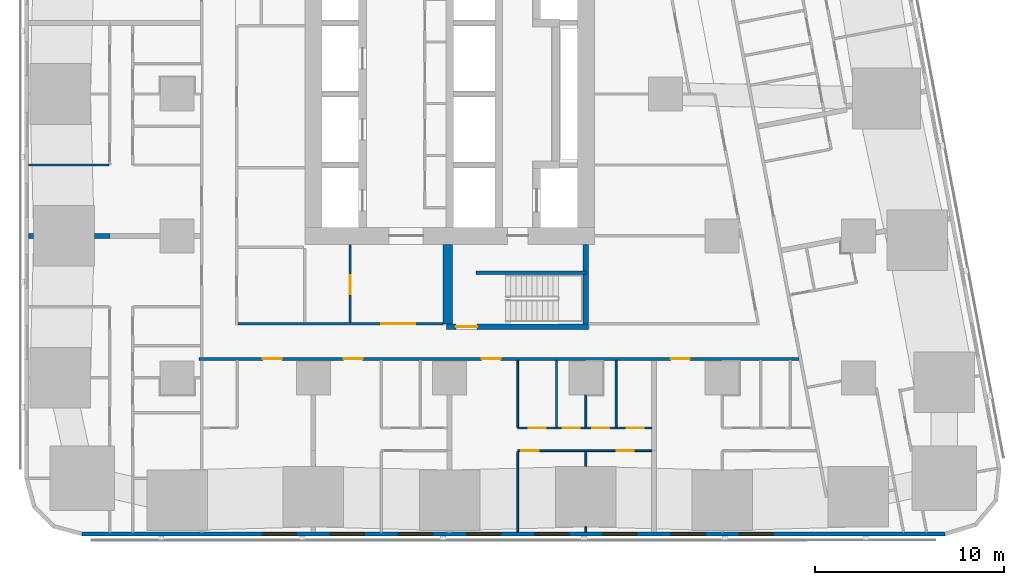
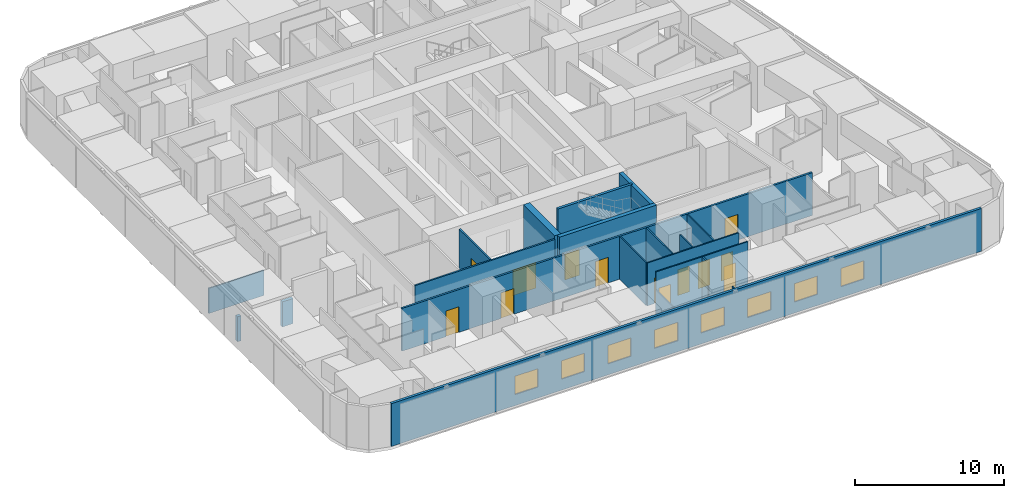
# One storey, part 3 of 17: 20 walls, 13 doors, 8 windows, 21 openings.
"""IFC4 building model written with IfcOpenShell, lengths in metres."""

from ifc_helpers import new_model, si_unit, direction, frame, frame_2d, origin, place, context, subcontext, project, spatial, rectangle, extrude, material, layer, layer_set, type_object, element, fill, save


model = new_model("IFC4")

# Units and contexts
model_context = context("Model", 3, precision=1e-05, world=origin(), true_north=direction((0.0, 1.0)))
body_context = subcontext(model_context, "Body", "Model", "MODEL_VIEW")
ifc_project = project(units=[si_unit("LENGTHUNIT", "METRE"), si_unit("AREAUNIT", "SQUARE_METRE"), si_unit("VOLUMEUNIT", "CUBIC_METRE"), si_unit("PLANEANGLEUNIT", "RADIAN"), si_unit("MASSUNIT", "GRAM", prefix="KILO")], contexts=[model_context])

# Site, building, storey
site_placement = place(None, origin())
site = spatial("IfcSite", under=ifc_project, at=site_placement, CompositionType="ELEMENT")
building_placement = place(site_placement, origin())
building = spatial("IfcBuilding", under=site, at=building_placement, Name="Sheger Commons Tower", CompositionType="ELEMENT")
storey_placement = place(building_placement, frame((0.0, 0.0, 27.5)))
storey = spatial("IfcBuildingStorey", under=building, at=storey_placement, Name="L06", CompositionType="ELEMENT", Elevation=27.5)

# Wall, openings, doors
ifc_material_1 = material(Name="Hollow concrete block masonry, skimmed both sides", Category="masonry")
ifc_layer_1 = layer(ifc_material_1, 0.14990234375)
ifc_layer_set_1 = layer_set([ifc_layer_1], Name="CORRIDOR WALL 150")
wall_type_1 = type_object("IfcWallType", Name="CORRIDOR WALL 150", PredefinedType="SOLIDWALL", material=ifc_layer_set_1)
wall_1_placement = place(storey_placement, frame((40.053955078125, 8.5, 0.0), z_axis=(0.0, 0.0, 1.0), x_axis=(-1.0, 0.0, 0.0)))
wall_1 = element("IfcWall", 1, at=wall_1_placement, inside=storey, type_object=wall_type_1, Name="Corridor wall L06", PredefinedType="SOLIDWALL", context=body_context, shape_type="SweptSolid", body=[
    extrude(rectangle(XDim=31.703857421875, YDim=0.14990234375, at=frame_2d((15.85205078125, 0.0))), origin(), (0.0, 0.0, 1.0), 3.5),
])
opening_1_placement = place(wall_1_placement, frame((27.321044921875, 0.0, 0.0)))
opening_1 = element("IfcOpeningElement", 2, at=opening_1_placement, cuts=wall_1, Name="Opening D1", PredefinedType="OPENING", context=body_context, shape_type="SweptSolid", body=[
    extrude(rectangle(XDim=1.0, YDim=2.10009765625, at=frame_2d((0.5, 1.050048828125))), frame((0.0, 0.0849609375, 0.0), z_axis=(0.0, -1.0, 0.0), x_axis=(1.0, 0.0, 0.0)), (0.0, 0.0, 1.0), 0.169921875),
])
opening_2_placement = place(wall_1_placement, frame((23.053955078125, 0.0, 0.0)))
opening_2 = element("IfcOpeningElement", 3, at=opening_2_placement, cuts=wall_1, Name="Opening D1", PredefinedType="OPENING", context=body_context, shape_type="SweptSolid", body=[
    extrude(rectangle(XDim=1.0, YDim=2.10009765625, at=frame_2d((0.5, 1.050048828125))), frame((0.0, 0.0849609375, 0.0), z_axis=(0.0, -1.0, 0.0), x_axis=(1.0, 0.0, 0.0)), (0.0, 0.0, 1.0), 0.169921875),
])
opening_3_placement = place(wall_1_placement, frame((15.75390625, 0.0, 0.0)))
opening_3 = element("IfcOpeningElement", 4, at=opening_3_placement, cuts=wall_1, Name="Opening D1", PredefinedType="OPENING", context=body_context, shape_type="SweptSolid", body=[
    extrude(rectangle(XDim=1.0, YDim=2.10009765625, at=frame_2d((0.5, 1.050048828125))), frame((0.0, 0.0849609375, 0.0), z_axis=(0.0, -1.0, 0.0), x_axis=(1.0, 0.0, 0.0)), (0.0, 0.0, 1.0), 0.169921875),
])
opening_4_placement = place(wall_1_placement, frame((5.75390625, 0.0, 0.0)))
opening_4 = element("IfcOpeningElement", 5, at=opening_4_placement, cuts=wall_1, Name="Opening D1", PredefinedType="OPENING", context=body_context, shape_type="SweptSolid", body=[
    extrude(rectangle(XDim=1.0, YDim=2.10009765625, at=frame_2d((0.5, 1.050048828125))), frame((0.0, 0.0849609375, 0.0), z_axis=(0.0, -1.0, 0.0), x_axis=(1.0, 0.0, 0.0)), (0.0, 0.0, 1.0), 0.169921875),
])
ifc_material_2 = material(Name="Steel door set, fire rated", Category="steel")
door_type_1 = type_object("IfcDoorType", Name="FLAT ENTRANCE DOOR 1000x2100", OperationType="NOTDEFINED", PredefinedType="DOOR", material=ifc_material_2)
door_1_placement = place(opening_1_placement, origin())
door_1 = element("IfcDoor", 6, at=door_1_placement, inside=storey, type_object=door_type_1, Name="Flat entrance door", OperationType="SINGLE_SWING_LEFT", OverallHeight=2.10009765625, OverallWidth=1.0, PredefinedType="DOOR", context=body_context, shape_type="SweptSolid", body=[
    extrude(rectangle(XDim=1.0, YDim=2.10009765625, at=frame_2d((0.5, 1.050048828125))), frame((0.0, 0.02490234375, 0.0), z_axis=(0.0, -1.0, 0.0), x_axis=(1.0, 0.0, 0.0)), (0.0, 0.0, 1.0), 0.050048828125),
])
fill(opening_1, door_1)
door_2_placement = place(opening_2_placement, origin())
door_2 = element("IfcDoor", 7, at=door_2_placement, inside=storey, type_object=door_type_1, Name="Flat entrance door", OperationType="SINGLE_SWING_LEFT", OverallHeight=2.10009765625, OverallWidth=1.0, PredefinedType="DOOR", context=body_context, shape_type="SweptSolid", body=[
    extrude(rectangle(XDim=1.0, YDim=2.10009765625, at=frame_2d((0.5, 1.050048828125))), frame((0.0, 0.02490234375, 0.0), z_axis=(0.0, -1.0, 0.0), x_axis=(1.0, 0.0, 0.0)), (0.0, 0.0, 1.0), 0.050048828125),
])
fill(opening_2, door_2)
door_3_placement = place(opening_3_placement, origin())
door_3 = element("IfcDoor", 8, at=door_3_placement, inside=storey, type_object=door_type_1, Name="Flat entrance door", OperationType="SINGLE_SWING_LEFT", OverallHeight=2.10009765625, OverallWidth=1.0, PredefinedType="DOOR", context=body_context, shape_type="SweptSolid", body=[
    extrude(rectangle(XDim=1.0, YDim=2.10009765625, at=frame_2d((0.5, 1.050048828125))), frame((0.0, 0.02490234375, 0.0), z_axis=(0.0, -1.0, 0.0), x_axis=(1.0, 0.0, 0.0)), (0.0, 0.0, 1.0), 0.050048828125),
])
fill(opening_3, door_3)
door_4_placement = place(opening_4_placement, origin())
door_4 = element("IfcDoor", 9, at=door_4_placement, inside=storey, type_object=door_type_1, Name="Flat entrance door", OperationType="SINGLE_SWING_RIGHT", OverallHeight=2.10009765625, OverallWidth=1.0, PredefinedType="DOOR", context=body_context, shape_type="SweptSolid", body=[
    extrude(rectangle(XDim=1.0, YDim=2.10009765625, at=frame_2d((0.5, 1.050048828125))), frame((0.0, 0.02490234375, 0.0), z_axis=(0.0, -1.0, 0.0), x_axis=(1.0, 0.0, 0.0)), (0.0, 0.0, 1.0), 0.050048828125),
])
fill(opening_4, door_4)

# Walls
ifc_material_3 = material(Name="Dense concrete block masonry, plastered both sides (separating wall between flats)", Category="masonry")
ifc_layer_2 = layer(ifc_material_3, 0.25)
ifc_layer_set_2 = layer_set([ifc_layer_2], Name="DEMISING WALL 250")
wall_type_2 = type_object("IfcWallType", Name="DEMISING WALL 250", PredefinedType="SOLIDWALL", material=ifc_layer_set_2)
wall_2_placement = place(storey_placement, frame((-0.64990234375, 15.0, 0.0), z_axis=(0.0, 0.0, 1.0), x_axis=(1.0, 0.0, 0.0)))
element("IfcWall", 10, at=wall_2_placement, inside=storey, type_object=wall_type_2, Name="Demising wall L06", PredefinedType="SOLIDWALL", context=body_context, shape_type="SweptSolid", body=[
    extrude(rectangle(XDim=0.27392578125, YDim=0.25, at=frame_2d((0.136962890625, 0.0))), origin(), (0.0, 0.0, 1.0), 2.050048828125),
])
wall_3_placement = place(storey_placement, frame((2.825927734375, 15.0, 0.0), z_axis=(0.0, 0.0, 1.0), x_axis=(1.0, 0.0, 0.0)))
element("IfcWall", 11, at=wall_3_placement, inside=storey, type_object=wall_type_2, Name="Demising wall L06", PredefinedType="SOLIDWALL", context=body_context, shape_type="SweptSolid", body=[
    extrude(rectangle(XDim=0.823974609375, YDim=0.25, at=frame_2d((0.412109375, 0.0))), origin(), (0.0, 0.0, 1.0), 2.050048828125),
])

# Wall, openings, windows
ifc_material_4 = material(Name="Rendered concrete block masonry, dark grey", Category="masonry")
ifc_layer_3 = layer(ifc_material_4, 0.199951171875)
ifc_layer_set_3 = layer_set([ifc_layer_3], Name="FACADE WALL 200")
wall_type_3 = type_object("IfcWallType", Name="FACADE WALL 200", PredefinedType="SOLIDWALL", material=ifc_layer_set_3)
wall_4_placement = place(storey_placement, frame((2.1630859375, -0.75, 0.0), z_axis=(0.0, 0.0, 1.0), x_axis=(1.0, 0.0, 0.0)))
wall_4 = element("IfcWall", 12, at=wall_4_placement, inside=storey, type_object=wall_type_3, Name="Facade wall L06", PredefinedType="SOLIDWALL", context=body_context, shape_type="SweptSolid", body=[
    extrude(rectangle(XDim=45.6279296875, YDim=0.199951171875, at=frame_2d((22.81396484375, 0.0))), origin(), (0.0, 0.0, 1.0), 3.5),
])
opening_5_placement = place(wall_4_placement, frame((9.537109375, 0.0, 0.89990234375)))
opening_5 = element("IfcOpeningElement", 13, at=opening_5_placement, cuts=wall_4, Name="Opening W2", PredefinedType="OPENING", context=body_context, shape_type="SweptSolid", body=[
    extrude(rectangle(XDim=1.800048828125, YDim=1.5, at=frame_2d((0.89990234375, 0.75))), frame((0.0, 0.10986328125, 0.0), z_axis=(0.0, -1.0, 0.0), x_axis=(1.0, 0.0, 0.0)), (0.0, 0.0, 1.0), 0.219970703125),
])
opening_6_placement = place(wall_4_placement, frame((13.136962890625, 0.0, 0.89990234375)))
opening_6 = element("IfcOpeningElement", 14, at=opening_6_placement, cuts=wall_4, Name="Opening W2", PredefinedType="OPENING", context=body_context, shape_type="SweptSolid", body=[
    extrude(rectangle(XDim=1.800048828125, YDim=1.5, at=frame_2d((0.89990234375, 0.75))), frame((0.0, 0.10986328125, 0.0), z_axis=(0.0, -1.0, 0.0), x_axis=(1.0, 0.0, 0.0)), (0.0, 0.0, 1.0), 0.219970703125),
])
opening_7_placement = place(wall_4_placement, frame((16.737060546875, 0.0, 0.89990234375)))
opening_7 = element("IfcOpeningElement", 15, at=opening_7_placement, cuts=wall_4, Name="Opening W2", PredefinedType="OPENING", context=body_context, shape_type="SweptSolid", body=[
    extrude(rectangle(XDim=1.800048828125, YDim=1.5, at=frame_2d((0.89990234375, 0.75))), frame((0.0, 0.10986328125, 0.0), z_axis=(0.0, -1.0, 0.0), x_axis=(1.0, 0.0, 0.0)), (0.0, 0.0, 1.0), 0.219970703125),
])
opening_8_placement = place(wall_4_placement, frame((20.3369140625, 0.0, 0.89990234375)))
opening_8 = element("IfcOpeningElement", 16, at=opening_8_placement, cuts=wall_4, Name="Opening W2", PredefinedType="OPENING", context=body_context, shape_type="SweptSolid", body=[
    extrude(rectangle(XDim=1.800048828125, YDim=1.5, at=frame_2d((0.89990234375, 0.75))), frame((0.0, 0.10986328125, 0.0), z_axis=(0.0, -1.0, 0.0), x_axis=(1.0, 0.0, 0.0)), (0.0, 0.0, 1.0), 0.219970703125),
])
opening_9_placement = place(wall_4_placement, frame((23.93701171875, 0.0, 0.89990234375)))
opening_9 = element("IfcOpeningElement", 17, at=opening_9_placement, cuts=wall_4, Name="Opening W2", PredefinedType="OPENING", context=body_context, shape_type="SweptSolid", body=[
    extrude(rectangle(XDim=1.800048828125, YDim=1.5, at=frame_2d((0.89990234375, 0.75))), frame((0.0, 0.10986328125, 0.0), z_axis=(0.0, -1.0, 0.0), x_axis=(1.0, 0.0, 0.0)), (0.0, 0.0, 1.0), 0.219970703125),
])
opening_10_placement = place(wall_4_placement, frame((27.537109375, 0.0, 0.89990234375)))
opening_10 = element("IfcOpeningElement", 18, at=opening_10_placement, cuts=wall_4, Name="Opening W2", PredefinedType="OPENING", context=body_context, shape_type="SweptSolid", body=[
    extrude(rectangle(XDim=1.800048828125, YDim=1.5, at=frame_2d((0.89990234375, 0.75))), frame((0.0, 0.10986328125, 0.0), z_axis=(0.0, -1.0, 0.0), x_axis=(1.0, 0.0, 0.0)), (0.0, 0.0, 1.0), 0.219970703125),
])
opening_11_placement = place(wall_4_placement, frame((31.136962890625, 0.0, 0.89990234375)))
opening_11 = element("IfcOpeningElement", 19, at=opening_11_placement, cuts=wall_4, Name="Opening W2", PredefinedType="OPENING", context=body_context, shape_type="SweptSolid", body=[
    extrude(rectangle(XDim=1.800048828125, YDim=1.5, at=frame_2d((0.89990234375, 0.75))), frame((0.0, 0.10986328125, 0.0), z_axis=(0.0, -1.0, 0.0), x_axis=(1.0, 0.0, 0.0)), (0.0, 0.0, 1.0), 0.219970703125),
])
opening_12_placement = place(wall_4_placement, frame((34.737060546875, 0.0, 0.89990234375)))
opening_12 = element("IfcOpeningElement", 20, at=opening_12_placement, cuts=wall_4, Name="Opening W2", PredefinedType="OPENING", context=body_context, shape_type="SweptSolid", body=[
    extrude(rectangle(XDim=1.800048828125, YDim=1.5, at=frame_2d((0.89990234375, 0.75))), frame((0.0, 0.10986328125, 0.0), z_axis=(0.0, -1.0, 0.0), x_axis=(1.0, 0.0, 0.0)), (0.0, 0.0, 1.0), 0.219970703125),
])
ifc_material_5 = material(Name="Black aluminium frame, dark tinted double glazing", Category="aluminium")
window_type = type_object("IfcWindowType", Name="WINDOW W2 1800x1500", PartitioningType="SINGLE_PANEL", PredefinedType="WINDOW", material=ifc_material_5)
window_1_placement = place(opening_5_placement, origin())
window_1 = element("IfcWindow", 21, at=window_1_placement, inside=storey, type_object=window_type, Name="Window W2 1800X1500", OverallHeight=1.5, OverallWidth=1.800048828125, PartitioningType="SINGLE_PANEL", PredefinedType="WINDOW", context=body_context, shape_type="SweptSolid", body=[
    extrude(rectangle(XDim=1.800048828125, YDim=1.5, at=frame_2d((0.89990234375, 0.75))), frame((0.0, 0.030029296875, 0.0), z_axis=(0.0, -1.0, 0.0), x_axis=(1.0, 0.0, 0.0)), (0.0, 0.0, 1.0), 0.06005859375),
])
fill(opening_5, window_1)
window_2_placement = place(opening_6_placement, origin())
window_2 = element("IfcWindow", 22, at=window_2_placement, inside=storey, type_object=window_type, Name="Window W2 1800X1500", OverallHeight=1.5, OverallWidth=1.800048828125, PartitioningType="SINGLE_PANEL", PredefinedType="WINDOW", context=body_context, shape_type="SweptSolid", body=[
    extrude(rectangle(XDim=1.800048828125, YDim=1.5, at=frame_2d((0.89990234375, 0.75))), frame((0.0, 0.030029296875, 0.0), z_axis=(0.0, -1.0, 0.0), x_axis=(1.0, 0.0, 0.0)), (0.0, 0.0, 1.0), 0.06005859375),
])
fill(opening_6, window_2)
window_3_placement = place(opening_7_placement, origin())
window_3 = element("IfcWindow", 23, at=window_3_placement, inside=storey, type_object=window_type, Name="Window W2 1800X1500", OverallHeight=1.5, OverallWidth=1.800048828125, PartitioningType="SINGLE_PANEL", PredefinedType="WINDOW", context=body_context, shape_type="SweptSolid", body=[
    extrude(rectangle(XDim=1.800048828125, YDim=1.5, at=frame_2d((0.89990234375, 0.75))), frame((0.0, 0.030029296875, 0.0), z_axis=(0.0, -1.0, 0.0), x_axis=(1.0, 0.0, 0.0)), (0.0, 0.0, 1.0), 0.06005859375),
])
fill(opening_7, window_3)
window_4_placement = place(opening_8_placement, origin())
window_4 = element("IfcWindow", 24, at=window_4_placement, inside=storey, type_object=window_type, Name="Window W2 1800X1500", OverallHeight=1.5, OverallWidth=1.800048828125, PartitioningType="SINGLE_PANEL", PredefinedType="WINDOW", context=body_context, shape_type="SweptSolid", body=[
    extrude(rectangle(XDim=1.800048828125, YDim=1.5, at=frame_2d((0.89990234375, 0.75))), frame((0.0, 0.030029296875, 0.0), z_axis=(0.0, -1.0, 0.0), x_axis=(1.0, 0.0, 0.0)), (0.0, 0.0, 1.0), 0.06005859375),
])
fill(opening_8, window_4)
window_5_placement = place(opening_9_placement, origin())
window_5 = element("IfcWindow", 25, at=window_5_placement, inside=storey, type_object=window_type, Name="Window W2 1800X1500", OverallHeight=1.5, OverallWidth=1.800048828125, PartitioningType="SINGLE_PANEL", PredefinedType="WINDOW", context=body_context, shape_type="SweptSolid", body=[
    extrude(rectangle(XDim=1.800048828125, YDim=1.5, at=frame_2d((0.89990234375, 0.75))), frame((0.0, 0.030029296875, 0.0), z_axis=(0.0, -1.0, 0.0), x_axis=(1.0, 0.0, 0.0)), (0.0, 0.0, 1.0), 0.06005859375),
])
fill(opening_9, window_5)
window_6_placement = place(opening_10_placement, origin())
window_6 = element("IfcWindow", 26, at=window_6_placement, inside=storey, type_object=window_type, Name="Window W2 1800X1500", OverallHeight=1.5, OverallWidth=1.800048828125, PartitioningType="SINGLE_PANEL", PredefinedType="WINDOW", context=body_context, shape_type="SweptSolid", body=[
    extrude(rectangle(XDim=1.800048828125, YDim=1.5, at=frame_2d((0.89990234375, 0.75))), frame((0.0, 0.030029296875, 0.0), z_axis=(0.0, -1.0, 0.0), x_axis=(1.0, 0.0, 0.0)), (0.0, 0.0, 1.0), 0.06005859375),
])
fill(opening_10, window_6)
window_7_placement = place(opening_11_placement, origin())
window_7 = element("IfcWindow", 27, at=window_7_placement, inside=storey, type_object=window_type, Name="Window W2 1800X1500", OverallHeight=1.5, OverallWidth=1.800048828125, PartitioningType="SINGLE_PANEL", PredefinedType="WINDOW", context=body_context, shape_type="SweptSolid", body=[
    extrude(rectangle(XDim=1.800048828125, YDim=1.5, at=frame_2d((0.89990234375, 0.75))), frame((0.0, 0.030029296875, 0.0), z_axis=(0.0, -1.0, 0.0), x_axis=(1.0, 0.0, 0.0)), (0.0, 0.0, 1.0), 0.06005859375),
])
fill(opening_11, window_7)
window_8_placement = place(opening_12_placement, origin())
window_8 = element("IfcWindow", 28, at=window_8_placement, inside=storey, type_object=window_type, Name="Window W2 1800X1500", OverallHeight=1.5, OverallWidth=1.800048828125, PartitioningType="SINGLE_PANEL", PredefinedType="WINDOW", context=body_context, shape_type="SweptSolid", body=[
    extrude(rectangle(XDim=1.800048828125, YDim=1.5, at=frame_2d((0.89990234375, 0.75))), frame((0.0, 0.030029296875, 0.0), z_axis=(0.0, -1.0, 0.0), x_axis=(1.0, 0.0, 0.0)), (0.0, 0.0, 1.0), 0.06005859375),
])
fill(opening_12, window_8)

# Wall
ifc_material_6 = material(Name="Gypsum board on steel studs", Category="steel")
ifc_layer_4 = layer(ifc_material_6, 0.10009765625)
ifc_layer_set_4 = layer_set([ifc_layer_4], Name="PARTITION 100")
wall_type_4 = type_object("IfcWallType", Name="PARTITION 100", PredefinedType="PARTITIONING", material=ifc_layer_set_4)
wall_5_placement = place(storey_placement, frame((-0.64990234375, 18.75, 0.0), z_axis=(0.0, 0.0, 1.0), x_axis=(1.0, 0.0, 0.0)))
element("IfcWall", 29, at=wall_5_placement, inside=storey, type_object=wall_type_4, Name="Partition L06", PredefinedType="PARTITIONING", context=body_context, shape_type="SweptSolid", body=[
    extrude(rectangle(XDim=4.25, YDim=0.10009765625, at=frame_2d((2.125, 0.0))), origin(), (0.0, 0.0, 1.0), 2.050048828125),
])

# Wall, openings, doors
wall_6_placement = place(storey_placement, frame((32.27490234375, 3.64990234375, 0.0), z_axis=(0.0, 0.0, 1.0), x_axis=(-1.0, 0.0, 0.0)))
wall_6 = element("IfcWall", 30, at=wall_6_placement, inside=storey, type_object=wall_type_4, Name="Partition L06", PredefinedType="PARTITIONING", context=body_context, shape_type="SweptSolid", body=[
    extrude(rectangle(XDim=7.074951171875, YDim=0.10009765625, at=frame_2d((3.53759765625, 0.0))), origin(), (0.0, 0.0, 1.0), 3.5),
])
opening_13_placement = place(wall_6_placement, frame((5.97509765625, 0.0, 0.0)))
opening_13 = element("IfcOpeningElement", 31, at=opening_13_placement, cuts=wall_6, Name="Opening D2", PredefinedType="OPENING", context=body_context, shape_type="SweptSolid", body=[
    extrude(rectangle(XDim=0.89990234375, YDim=2.10009765625, at=frame_2d((0.449951171875, 1.050048828125))), frame((0.0, 0.06005859375, 0.0), z_axis=(0.0, -1.0, 0.0), x_axis=(1.0, 0.0, 0.0)), (0.0, 0.0, 1.0), 0.1201171875),
])
opening_14_placement = place(wall_6_placement, frame((0.949951171875, 0.0, 0.0)))
opening_14 = element("IfcOpeningElement", 32, at=opening_14_placement, cuts=wall_6, Name="Opening D2", PredefinedType="OPENING", context=body_context, shape_type="SweptSolid", body=[
    extrude(rectangle(XDim=0.89990234375, YDim=2.10009765625, at=frame_2d((0.449951171875, 1.050048828125))), frame((0.0, 0.06005859375, 0.0), z_axis=(0.0, -1.0, 0.0), x_axis=(1.0, 0.0, 0.0)), (0.0, 0.0, 1.0), 0.1201171875),
])
ifc_material_7 = material(Name="Timber door set", Category="wood")
door_type_2 = type_object("IfcDoorType", Name="INTERNAL DOOR 900x2100", OperationType="NOTDEFINED", PredefinedType="DOOR", material=ifc_material_7)
door_5_placement = place(opening_13_placement, origin())
door_5 = element("IfcDoor", 33, at=door_5_placement, inside=storey, type_object=door_type_2, Name="Main bedroom door", OperationType="SINGLE_SWING_RIGHT", OverallHeight=2.10009765625, OverallWidth=0.89990234375, PredefinedType="DOOR", context=body_context, shape_type="SweptSolid", body=[
    extrude(rectangle(XDim=0.89990234375, YDim=2.10009765625, at=frame_2d((0.449951171875, 1.050048828125))), frame((0.0, 0.02490234375, 0.0), z_axis=(0.0, -1.0, 0.0), x_axis=(1.0, 0.0, 0.0)), (0.0, 0.0, 1.0), 0.050048828125),
])
fill(opening_13, door_5)
door_6_placement = place(opening_14_placement, origin())
door_6 = element("IfcDoor", 34, at=door_6_placement, inside=storey, type_object=door_type_2, Name="Bedroom 2 door", OperationType="SINGLE_SWING_LEFT", OverallHeight=2.10009765625, OverallWidth=0.89990234375, PredefinedType="DOOR", context=body_context, shape_type="SweptSolid", body=[
    extrude(rectangle(XDim=0.89990234375, YDim=2.10009765625, at=frame_2d((0.449951171875, 1.050048828125))), frame((0.0, 0.02490234375, 0.0), z_axis=(0.0, -1.0, 0.0), x_axis=(1.0, 0.0, 0.0)), (0.0, 0.0, 1.0), 0.050048828125),
])
fill(opening_14, door_6)

wall_7_placement = place(storey_placement, frame((32.27490234375, 4.85009765625, 0.0), z_axis=(0.0, 0.0, 1.0), x_axis=(-1.0, 0.0, 0.0)))
wall_7 = element("IfcWall", 35, at=wall_7_placement, inside=storey, type_object=wall_type_4, Name="Partition L06", PredefinedType="PARTITIONING", context=body_context, shape_type="SweptSolid", body=[
    extrude(rectangle(XDim=7.074951171875, YDim=0.10009765625, at=frame_2d((3.53759765625, 0.0))), origin(), (0.0, 0.0, 1.0), 3.5),
])
opening_15_placement = place(wall_7_placement, frame((5.60009765625, 0.0, 0.0)))
opening_15 = element("IfcOpeningElement", 36, at=opening_15_placement, cuts=wall_7, Name="Opening D2", PredefinedType="OPENING", context=body_context, shape_type="SweptSolid", body=[
    extrude(rectangle(XDim=0.89990234375, YDim=2.10009765625, at=frame_2d((0.449951171875, 1.050048828125))), frame((0.0, 0.06005859375, 0.0), z_axis=(0.0, -1.0, 0.0), x_axis=(1.0, 0.0, 0.0)), (0.0, 0.0, 1.0), 0.1201171875),
])
opening_16_placement = place(wall_7_placement, frame((2.22509765625, 0.0, 0.0)))
opening_16 = element("IfcOpeningElement", 37, at=opening_16_placement, cuts=wall_7, Name="Opening D2", PredefinedType="OPENING", context=body_context, shape_type="SweptSolid", body=[
    extrude(rectangle(XDim=0.89990234375, YDim=2.10009765625, at=frame_2d((0.449951171875, 1.050048828125))), frame((0.0, 0.06005859375, 0.0), z_axis=(0.0, -1.0, 0.0), x_axis=(1.0, 0.0, 0.0)), (0.0, 0.0, 1.0), 0.1201171875),
])
opening_17_placement = place(wall_7_placement, frame((3.800048828125, 0.0, 0.0)))
opening_17 = element("IfcOpeningElement", 38, at=opening_17_placement, cuts=wall_7, Name="Opening D2", PredefinedType="OPENING", context=body_context, shape_type="SweptSolid", body=[
    extrude(rectangle(XDim=0.89990234375, YDim=2.10009765625, at=frame_2d((0.449951171875, 1.050048828125))), frame((0.0, 0.06005859375, 0.0), z_axis=(0.0, -1.0, 0.0), x_axis=(1.0, 0.0, 0.0)), (0.0, 0.0, 1.0), 0.1201171875),
])
opening_18_placement = place(wall_7_placement, frame((0.425048828125, 0.0, 0.0)))
opening_18 = element("IfcOpeningElement", 39, at=opening_18_placement, cuts=wall_7, Name="Opening D2", PredefinedType="OPENING", context=body_context, shape_type="SweptSolid", body=[
    extrude(rectangle(XDim=0.89990234375, YDim=2.10009765625, at=frame_2d((0.449951171875, 1.050048828125))), frame((0.0, 0.06005859375, 0.0), z_axis=(0.0, -1.0, 0.0), x_axis=(1.0, 0.0, 0.0)), (0.0, 0.0, 1.0), 0.1201171875),
])
door_7_placement = place(opening_15_placement, origin())
door_7 = element("IfcDoor", 40, at=door_7_placement, inside=storey, type_object=door_type_2, Name="Bathroom door", OperationType="SINGLE_SWING_LEFT", OverallHeight=2.10009765625, OverallWidth=0.89990234375, PredefinedType="DOOR", context=body_context, shape_type="SweptSolid", body=[
    extrude(rectangle(XDim=0.89990234375, YDim=2.10009765625, at=frame_2d((0.449951171875, 1.050048828125))), frame((0.0, 0.02490234375, 0.0), z_axis=(0.0, -1.0, 0.0), x_axis=(1.0, 0.0, 0.0)), (0.0, 0.0, 1.0), 0.050048828125),
])
fill(opening_15, door_7)
door_8_placement = place(opening_16_placement, origin())
door_8 = element("IfcDoor", 41, at=door_8_placement, inside=storey, type_object=door_type_2, Name="Shower room door", OperationType="SINGLE_SWING_LEFT", OverallHeight=2.10009765625, OverallWidth=0.89990234375, PredefinedType="DOOR", context=body_context, shape_type="SweptSolid", body=[
    extrude(rectangle(XDim=0.89990234375, YDim=2.10009765625, at=frame_2d((0.449951171875, 1.050048828125))), frame((0.0, 0.02490234375, 0.0), z_axis=(0.0, -1.0, 0.0), x_axis=(1.0, 0.0, 0.0)), (0.0, 0.0, 1.0), 0.050048828125),
])
fill(opening_16, door_8)
door_9_placement = place(opening_17_placement, origin())
door_9 = element("IfcDoor", 42, at=door_9_placement, inside=storey, type_object=door_type_2, Name="Store door", OperationType="SINGLE_SWING_LEFT", OverallHeight=2.10009765625, OverallWidth=0.89990234375, PredefinedType="DOOR", context=body_context, shape_type="SweptSolid", body=[
    extrude(rectangle(XDim=0.89990234375, YDim=2.10009765625, at=frame_2d((0.449951171875, 1.050048828125))), frame((0.0, 0.02490234375, 0.0), z_axis=(0.0, -1.0, 0.0), x_axis=(1.0, 0.0, 0.0)), (0.0, 0.0, 1.0), 0.050048828125),
])
fill(opening_17, door_9)
door_10_placement = place(opening_18_placement, origin())
door_10 = element("IfcDoor", 43, at=door_10_placement, inside=storey, type_object=door_type_2, Name="Store door", OperationType="SINGLE_SWING_RIGHT", OverallHeight=2.10009765625, OverallWidth=0.89990234375, PredefinedType="DOOR", context=body_context, shape_type="SweptSolid", body=[
    extrude(rectangle(XDim=0.89990234375, YDim=2.10009765625, at=frame_2d((0.449951171875, 1.050048828125))), frame((0.0, 0.02490234375, 0.0), z_axis=(0.0, -1.0, 0.0), x_axis=(1.0, 0.0, 0.0)), (0.0, 0.0, 1.0), 0.050048828125),
])
fill(opening_18, door_10)

# Walls
wall_8_placement = place(storey_placement, frame((25.199951171875, -0.64990234375, 0.0), z_axis=(0.0, 0.0, 1.0), x_axis=(0.0, 1.0, 0.0)))
element("IfcWall", 44, at=wall_8_placement, inside=storey, type_object=wall_type_4, Name="Partition L06", PredefinedType="PARTITIONING", context=body_context, shape_type="SweptSolid", body=[
    extrude(rectangle(XDim=4.25, YDim=0.10009765625, at=frame_2d((2.125, 0.0))), origin(), (0.0, 0.0, 1.0), 2.050048828125),
])
wall_9_placement = place(storey_placement, frame((28.800048828125, -0.64990234375, 0.0), z_axis=(0.0, 0.0, 1.0), x_axis=(0.0, 1.0, 0.0)))
element("IfcWall", 45, at=wall_9_placement, inside=storey, type_object=wall_type_4, Name="Partition L06", PredefinedType="PARTITIONING", context=body_context, shape_type="SweptSolid", body=[
    extrude(rectangle(XDim=0.27392578125, YDim=0.10009765625, at=frame_2d((0.136962890625, 0.0))), origin(), (0.0, 0.0, 1.0), 3.5),
])
wall_10_placement = place(storey_placement, frame((28.800048828125, 2.825927734375, 0.0), z_axis=(0.0, 0.0, 1.0), x_axis=(0.0, 1.0, 0.0)))
element("IfcWall", 46, at=wall_10_placement, inside=storey, type_object=wall_type_4, Name="Partition L06", PredefinedType="PARTITIONING", context=body_context, shape_type="SweptSolid", body=[
    extrude(rectangle(XDim=0.774169921875, YDim=0.10009765625, at=frame_2d((0.38720703125, 0.0))), origin(), (0.0, 0.0, 1.0), 3.5),
])
wall_11_placement = place(storey_placement, frame((25.199951171875, 4.89990234375, 0.0), z_axis=(0.0, 0.0, 1.0), x_axis=(0.0, 1.0, 0.0)))
element("IfcWall", 47, at=wall_11_placement, inside=storey, type_object=wall_type_4, Name="Partition L06", PredefinedType="PARTITIONING", context=body_context, shape_type="SweptSolid", body=[
    extrude(rectangle(XDim=3.525146484375, YDim=0.10009765625, at=frame_2d((1.7626953125, 0.0))), origin(), (0.0, 0.0, 1.0), 3.5),
])
wall_12_placement = place(storey_placement, frame((28.800048828125, 4.89990234375, 0.0), z_axis=(0.0, 0.0, 1.0), x_axis=(0.0, 1.0, 0.0)))
element("IfcWall", 48, at=wall_12_placement, inside=storey, type_object=wall_type_4, Name="Partition L06", PredefinedType="PARTITIONING", context=body_context, shape_type="SweptSolid", body=[
    extrude(rectangle(XDim=1.69921875, YDim=0.10009765625, at=frame_2d((0.849609375, 0.0))), origin(), (0.0, 0.0, 1.0), 3.5),
])
for number, where, z_axis, x_axis, name in (
    (49, (27.25, 4.89990234375, 0.0), (0.0, 0.0, 1.0), (0.0, 1.0, 0.0), "Partition L06"),
    (50, (30.39990234375, 4.89990234375, 0.0), (0.0, 0.0, 1.0), (0.0, 1.0, 0.0), "Partition L06"),
):
    element("IfcWall", number, at=place(storey_placement, frame(where, z_axis=z_axis, x_axis=x_axis)), inside=storey, type_object=wall_type_4, Name=name, PredefinedType="PARTITIONING", context=body_context, shape_type="SweptSolid", body=[
        extrude(rectangle(XDim=3.525146484375, YDim=0.10009765625, at=frame_2d((1.7626953125, 0.0))), origin(), (0.0, 0.0, 1.0), 3.5),
    ])

# Wall, opening, door
ifc_material_8 = material(Name="Gypsum board on steel studs, two layers each side, fire rated", Category="steel")
ifc_layer_5 = layer(ifc_material_8, 0.125)
ifc_layer_set_5 = layer_set([ifc_layer_5], Name="SERVICE WALL 125")
wall_type_5 = type_object("IfcWallType", Name="SERVICE WALL 125", PredefinedType="PARTITIONING", material=ifc_layer_set_5)
wall_13_placement = place(storey_placement, frame((10.4130859375, 10.35009765625, 0.0), z_axis=(0.0, 0.0, 1.0), x_axis=(1.0, 0.0, 0.0)))
wall_13 = element("IfcWall", 51, at=wall_13_placement, inside=storey, type_object=wall_type_5, Name="Service room wall L06", PredefinedType="PARTITIONING", context=body_context, shape_type="SweptSolid", body=[
    extrude(rectangle(XDim=10.8369140625, YDim=0.125, at=frame_2d((5.41845703125, 0.0))), origin(), (0.0, 0.0, 1.0), 3.5),
])
opening_19_placement = place(wall_13_placement, frame((7.58203125, 0.0, 0.0)))
opening_19 = element("IfcOpeningElement", 52, at=opening_19_placement, cuts=wall_13, Name="Opening D6", PredefinedType="OPENING", context=body_context, shape_type="SweptSolid", body=[
    extrude(rectangle(XDim=1.800048828125, YDim=2.10009765625, at=frame_2d((0.89990234375, 1.050048828125))), frame((0.0, 0.072509765625, 0.0), z_axis=(0.0, -1.0, 0.0), x_axis=(1.0, 0.0, 0.0)), (0.0, 0.0, 1.0), 0.14501953125),
])
ifc_material_9 = material(Name="Steel door set, fire rated", Category="steel")
door_type_3 = type_object("IfcDoorType", Name="LOBBY DOUBLE DOOR 1800x2100", OperationType="DOUBLE_DOOR_SINGLE_SWING", PredefinedType="DOOR", material=ifc_material_9)
door_11_placement = place(opening_19_placement, origin())
door_11 = element("IfcDoor", 53, at=door_11_placement, inside=storey, type_object=door_type_3, Name="Lift lobby south door", OperationType="DOUBLE_DOOR_SINGLE_SWING", OverallHeight=2.10009765625, OverallWidth=1.800048828125, PredefinedType="DOOR", context=body_context, shape_type="SweptSolid", body=[
    extrude(rectangle(XDim=1.800048828125, YDim=2.10009765625, at=frame_2d((0.89990234375, 1.050048828125))), frame((0.0, 0.02490234375, 0.0), z_axis=(0.0, -1.0, 0.0), x_axis=(1.0, 0.0, 0.0)), (0.0, 0.0, 1.0), 0.050048828125),
])
fill(opening_19, door_11)

wall_14_placement = place(storey_placement, frame((16.340087890625, 10.4130859375, 0.0), z_axis=(0.0, 0.0, 1.0), x_axis=(0.0, 1.0, 0.0)))
wall_14 = element("IfcWall", 54, at=wall_14_placement, inside=storey, type_object=wall_type_5, Name="Service room wall L06", PredefinedType="PARTITIONING", context=body_context, shape_type="SweptSolid", body=[
    extrude(rectangle(XDim=4.136962890625, YDim=0.125, at=frame_2d((2.068359375, 0.0))), origin(), (0.0, 0.0, 1.0), 3.5),
])
opening_20_placement = place(wall_14_placement, frame((1.511962890625, 0.0, 0.0)))
opening_20 = element("IfcOpeningElement", 55, at=opening_20_placement, cuts=wall_14, Name="Opening D4", PredefinedType="OPENING", context=body_context, shape_type="SweptSolid", body=[
    extrude(rectangle(XDim=1.0, YDim=2.10009765625, at=frame_2d((0.5, 1.050048828125))), frame((0.0, 0.072509765625, 0.0), z_axis=(0.0, -1.0, 0.0), x_axis=(1.0, 0.0, 0.0)), (0.0, 0.0, 1.0), 0.14501953125),
])
ifc_material_10 = material(Name="Steel door set, fire rated", Category="steel")
door_type_4 = type_object("IfcDoorType", Name="SERVICE DOOR 1000x2100", OperationType="NOTDEFINED", PredefinedType="DOOR", material=ifc_material_10)
door_12_placement = place(opening_20_placement, origin())
door_12 = element("IfcDoor", 56, at=door_12_placement, inside=storey, type_object=door_type_4, Name="Electrical room door", OperationType="SINGLE_SWING_LEFT", OverallHeight=2.10009765625, OverallWidth=1.0, PredefinedType="DOOR", context=body_context, shape_type="SweptSolid", body=[
    extrude(rectangle(XDim=1.0, YDim=2.10009765625, at=frame_2d((0.5, 1.050048828125))), frame((0.0, 0.02490234375, 0.0), z_axis=(0.0, -1.0, 0.0), x_axis=(1.0, 0.0, 0.0)), (0.0, 0.0, 1.0), 0.050048828125),
])
fill(opening_20, door_12)

ifc_material_11 = material(Name="Concrete C50/60", Category="concrete")
ifc_layer_6 = layer(ifc_material_11, 0.300048828125)
ifc_layer_set_6 = layer_set([ifc_layer_6], Name="STAIR CORE WALL 300")
wall_type_6 = type_object("IfcWallType", Name="STAIR CORE WALL 300", PredefinedType="SHEAR", material=ifc_layer_set_6)
wall_15_placement = place(storey_placement, frame((21.449951171875, 10.199951171875, 0.0), z_axis=(0.0, 0.0, 1.0), x_axis=(1.0, 0.0, 0.0)))
wall_15 = element("IfcWall", 57, at=wall_15_placement, inside=storey, type_object=wall_type_6, Name="STW-L06-S1S", PredefinedType="SHEAR", context=body_context, shape_type="SweptSolid", body=[
    extrude(rectangle(XDim=7.5, YDim=0.300048828125, at=frame_2d((3.75, 0.0))), origin(), (0.0, 0.0, 1.0), 3.75),
])
opening_21_placement = place(wall_15_placement, frame((0.5, 0.0, 0.0)))
opening_21 = element("IfcOpeningElement", 58, at=opening_21_placement, cuts=wall_15, Name="Opening D5", PredefinedType="OPENING", context=body_context, shape_type="SweptSolid", body=[
    extrude(rectangle(XDim=1.10009765625, YDim=2.10009765625, at=frame_2d((0.550048828125, 1.050048828125))), frame((0.0, 0.159912109375, 0.0), z_axis=(0.0, -1.0, 0.0), x_axis=(1.0, 0.0, 0.0)), (0.0, 0.0, 1.0), 0.320068359375),
])
ifc_material_12 = material(Name="Steel door set, fire rated", Category="steel")
door_type_5 = type_object("IfcDoorType", Name="STAIR DOOR 1100x2100", OperationType="NOTDEFINED", PredefinedType="DOOR", material=ifc_material_12)
door_13_placement = place(opening_21_placement, origin())
door_13 = element("IfcDoor", 59, at=door_13_placement, inside=storey, type_object=door_type_5, Name="Stair S1 door", OperationType="SINGLE_SWING_LEFT", OverallHeight=2.10009765625, OverallWidth=1.10009765625, PredefinedType="DOOR", context=body_context, shape_type="SweptSolid", body=[
    extrude(rectangle(XDim=1.10009765625, YDim=2.10009765625, at=frame_2d((0.550048828125, 1.050048828125))), frame((0.0, 0.02490234375, 0.0), z_axis=(0.0, -1.0, 0.0), x_axis=(1.0, 0.0, 0.0)), (0.0, 0.0, 1.0), 0.050048828125),
])
fill(opening_21, door_13)

# Walls
wall_16_placement = place(storey_placement, frame((28.800048828125, 10.35009765625, 0.0), z_axis=(0.0, 0.0, 1.0), x_axis=(0.0, 1.0, 0.0)))
element("IfcWall", 60, at=wall_16_placement, inside=storey, type_object=wall_type_6, Name="STW-L06-S1E", PredefinedType="SHEAR", context=body_context, shape_type="SweptSolid", body=[
    extrude(rectangle(XDim=4.199951171875, YDim=0.300048828125, at=frame_2d((2.10009765625, 0.0))), origin(), (0.0, 0.0, 1.0), 3.75),
])
ifc_material_13 = material(Name="Concrete C50/60", Category="concrete")
ifc_layer_7 = layer(ifc_material_13, 0.5)
ifc_layer_set_7 = layer_set([ifc_layer_7], Name="STAIR CORE WALL 500")
wall_type_7 = type_object("IfcWallType", Name="STAIR CORE WALL 500", PredefinedType="SHEAR", material=ifc_layer_set_7)
wall_17_placement = place(storey_placement, frame((21.5, 10.35009765625, 0.0), z_axis=(0.0, 0.0, 1.0), x_axis=(0.0, 1.0, 0.0)))
element("IfcWall", 61, at=wall_17_placement, inside=storey, type_object=wall_type_7, Name="STW-L06-S1W", PredefinedType="SHEAR", context=body_context, shape_type="SweptSolid", body=[
    extrude(rectangle(XDim=4.199951171875, YDim=0.5, at=frame_2d((2.10009765625, 0.0))), origin(), (0.0, 0.0, 1.0), 3.75),
])
ifc_material_14 = material(Name="Concrete C50/60", Category="concrete")
ifc_layer_8 = layer(ifc_material_14, 0.199951171875)
ifc_layer_set_8 = layer_set([ifc_layer_8], Name="STAIR SPINE WALL 200")
wall_type_8 = type_object("IfcWallType", Name="STAIR SPINE WALL 200", PredefinedType="SHEAR", material=ifc_layer_set_8)
wall_18_placement = place(storey_placement, frame((23.0, 13.050048828125, 0.0), z_axis=(0.0, 0.0, 1.0), x_axis=(1.0, 0.0, 0.0)))
element("IfcWall", 62, at=wall_18_placement, inside=storey, type_object=wall_type_8, Name="Stair spine wall L06", PredefinedType="SHEAR", context=body_context, shape_type="SweptSolid", body=[
    extrude(rectangle(XDim=5.800048828125, YDim=0.199951171875, at=frame_2d((2.89990234375, 0.0))), origin(), (0.0, 0.0, 1.0), 3.75),
])

save(model, "model.ifc")
